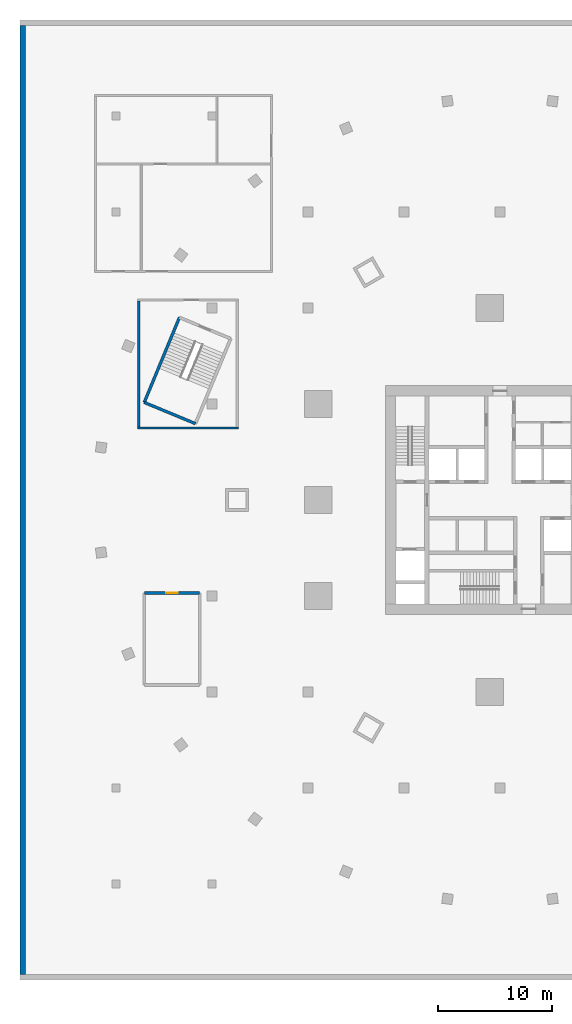
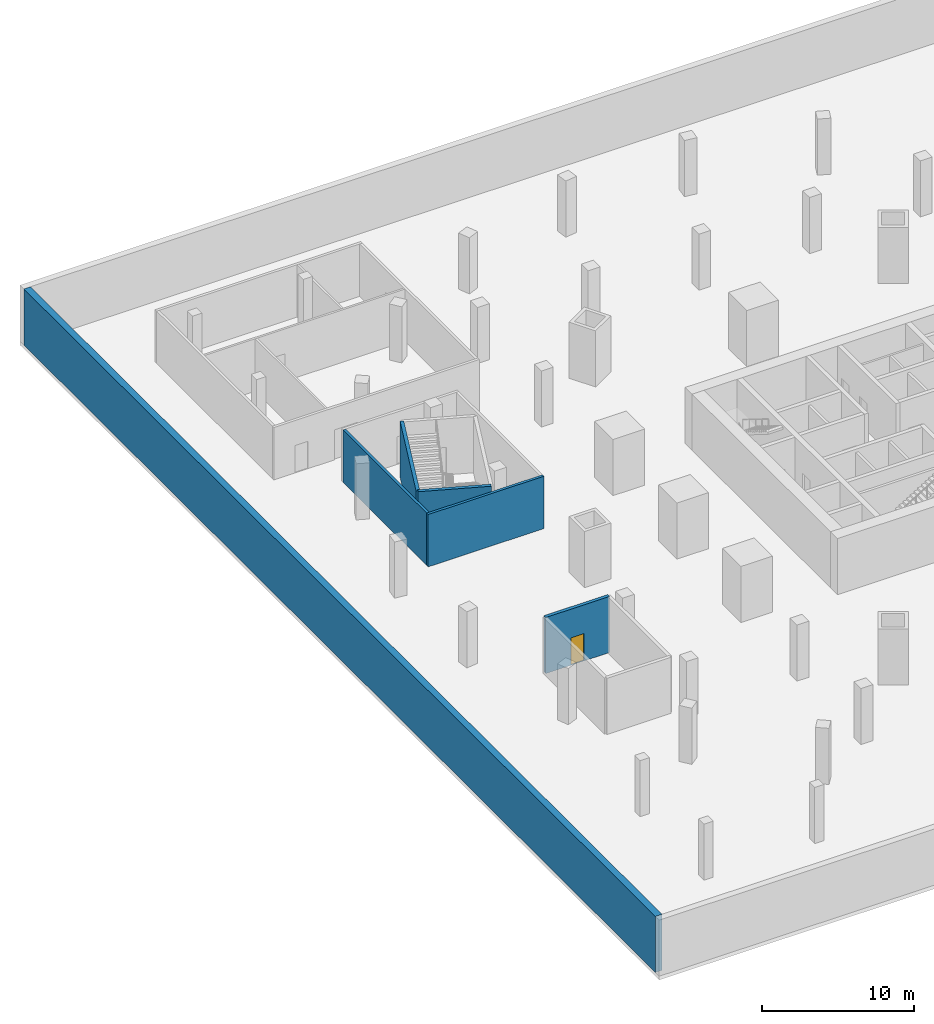
# One storey, part 2 of 9: 6 walls, 1 door, 1 opening.
"""IFC4 building model written with IfcOpenShell, lengths in metres."""

from ifc_helpers import new_model, si_unit, direction, frame, frame_2d, origin, place, context, subcontext, project, spatial, rectangle, extrude, material, layer, layer_set, type_object, element, fill, save


model = new_model("IFC4")

# Units and contexts
model_context = context("Model", 3, precision=1e-05, world=origin(), true_north=direction((0.0, 1.0)))
body_context = subcontext(model_context, "Body", "Model", "MODEL_VIEW")
ifc_project = project(units=[si_unit("LENGTHUNIT", "METRE"), si_unit("AREAUNIT", "SQUARE_METRE"), si_unit("VOLUMEUNIT", "CUBIC_METRE"), si_unit("PLANEANGLEUNIT", "RADIAN"), si_unit("MASSUNIT", "GRAM", prefix="KILO")], contexts=[model_context])

# Site, building, storey
site_placement = place(None, origin())
site = spatial("IfcSite", under=ifc_project, at=site_placement, CompositionType="ELEMENT")
building_placement = place(site_placement, origin())
building = spatial("IfcBuilding", under=site, at=building_placement, Name="Golbaran Civic Tower", CompositionType="ELEMENT")
storey_placement = place(building_placement, frame((0.0, 0.0, -9.0)))
storey = spatial("IfcBuildingStorey", under=building, at=storey_placement, Name="B2", CompositionType="ELEMENT", Elevation=-9.0)

# Walls
ifc_material_1 = material(Name="Concrete C50/60", Category="concrete")
ifc_layer_1 = layer(ifc_material_1, 0.5, Name="Concrete C50/60")
ifc_layer_set_1 = layer_set([ifc_layer_1], Name="Concrete C50/60")
wall_type_1 = type_object("IfcWallType", Name="BASEMENT RETAINING WALL CONCRETE 500", PredefinedType="SOLIDWALL", material=ifc_layer_set_1)
wall_1_placement = place(storey_placement, frame((-41.75, 41.5, 0.0), z_axis=(0.0, 0.0, 1.0), x_axis=(0.0, -1.0, 0.0)))
element("IfcWall", 1, at=wall_1_placement, inside=storey, type_object=wall_type_1, Name="Basement retaining wall W B2", PredefinedType="SOLIDWALL", context=body_context, shape_type="SweptSolid", body=[
    extrude(rectangle(XDim=83.0, YDim=0.5, at=frame_2d((41.5, 0.0))), origin(), (0.0, 0.0, 1.0), 4.5),
])
ifc_layer_2 = layer(ifc_material_1, 0.25, Name="Concrete C50/60")
ifc_layer_set_2 = layer_set([ifc_layer_2], Name="Concrete C50/60")
wall_type_2 = type_object("IfcWallType", Name="STAIR ENCLOSURE WALL CONCRETE 250", PredefinedType="SOLIDWALL", material=ifc_layer_set_2)
wall_2_placement = place(storey_placement, frame((-26.646728515625, 6.680908203125, 0.0), z_axis=(0.0, 0.0, 1.0), x_axis=(-0.923880627248, 0.382680789426, 0.0)))
element("IfcWall", 2, at=wall_2_placement, inside=storey, type_object=wall_type_2, Name="Stair P2 enclosure C B2", PredefinedType="SOLIDWALL", context=body_context, shape_type="SweptSolid", body=[
    extrude(rectangle(XDim=4.849853515625, YDim=0.25, at=frame_2d((2.4248046875, 0.0))), origin(), (0.0, 0.0, 1.0), 4.5),
])
wall_3_placement = place(storey_placement, frame((-31.12744140625, 8.536865234375, 0.0), z_axis=(0.0, 0.0, 1.0), x_axis=(0.382678572144, 0.923881545666, 0.0)))
element("IfcWall", 3, at=wall_3_placement, inside=storey, type_object=wall_type_2, Name="Stair P2 enclosure D B2", PredefinedType="SOLIDWALL", context=body_context, shape_type="SweptSolid", body=[
    extrude(rectangle(XDim=8.050048828125, YDim=0.25, at=frame_2d((4.02490234375, 0.0))), origin(), (0.0, 0.0, 1.0), 4.5),
])

# Wall, opening, door
wall_4_placement = place(storey_placement, frame((-31.125, -8.125, 0.0), z_axis=(0.0, 0.0, 1.0), x_axis=(1.0, 0.0, 0.0)))
wall_4 = element("IfcWall", 4, at=wall_4_placement, inside=storey, type_object=wall_type_2, Name="P3 enclosure A B2", PredefinedType="SOLIDWALL", context=body_context, shape_type="SweptSolid", body=[
    extrude(rectangle(XDim=4.85009765625, YDim=0.25, at=frame_2d((2.425048828125, 0.0))), origin(), (0.0, 0.0, 1.0), 4.5),
])
opening_placement = place(wall_4_placement, frame((1.925048828125, 0.0, 0.0)))
opening = element("IfcOpeningElement", 5, at=opening_placement, cuts=wall_4, Name="Opening B2.07", PredefinedType="OPENING", context=body_context, shape_type="SweptSolid", body=[
    extrude(rectangle(XDim=1.0, YDim=2.199951171875, at=frame_2d((0.5, 1.10009765625))), frame((0.0, 0.135009765625, 0.0), z_axis=(0.0, -1.0, 0.0), x_axis=(1.0, 0.0, 0.0)), (0.0, 0.0, 1.0), 0.27001953125),
])
ifc_material_2 = material(Name="Steel door set, fire-rated", Category="steel")
door_type = type_object("IfcDoorType", Name="BASEMENT ROOM DOOR 1000x2200", OperationType="SINGLE_SWING_LEFT", PredefinedType="DOOR", material=ifc_material_2)
door_placement = place(opening_placement, origin())
door = element("IfcDoor", 6, at=door_placement, inside=storey, type_object=door_type, Name="Car Park Store door B2", OperationType="SINGLE_SWING_LEFT", OverallHeight=2.199951171875, OverallWidth=1.0, PredefinedType="DOOR", context=body_context, shape_type="SweptSolid", body=[
    extrude(rectangle(XDim=1.0, YDim=2.199951171875, at=frame_2d((0.5, 1.10009765625))), frame((0.0, 0.02490234375, 0.0), z_axis=(0.0, -1.0, 0.0), x_axis=(1.0, 0.0, 0.0)), (0.0, 0.0, 1.0), 0.050048828125),
])
fill(opening, door)

# Walls
ifc_material_3 = material(Name="Reinforced blockwork, fire-rated", Category="masonry")
ifc_layer_3 = layer(ifc_material_3, 0.199951171875, Name="Reinforced blockwork, fire-rated")
ifc_layer_set_3 = layer_set([ifc_layer_3], Name="Reinforced blockwork, fire-rated")
wall_type_3 = type_object("IfcWallType", Name="STAIR LOBBY WALL 200", PredefinedType="PARTITIONING", material=ifc_layer_set_3)
wall_5_placement = place(storey_placement, frame((-31.699951171875, 6.300048828125, 0.0), z_axis=(0.0, 0.0, 1.0), x_axis=(1.0, 0.0, 0.0)))
element("IfcWall", 7, at=wall_5_placement, inside=storey, type_object=wall_type_3, Name="Stair P2 lobby wall B2", PredefinedType="PARTITIONING", context=body_context, shape_type="SweptSolid", body=[
    extrude(rectangle(XDim=8.800048828125, YDim=0.199951171875, at=frame_2d((4.39990234375, 0.0))), origin(), (0.0, 0.0, 1.0), 4.199951171875),
])
wall_6_placement = place(storey_placement, frame((-31.60009765625, 17.39990234375, 0.0), z_axis=(0.0, 0.0, 1.0), x_axis=(0.0, -1.0, 0.0)))
element("IfcWall", 8, at=wall_6_placement, inside=storey, type_object=wall_type_3, Name="Stair P2 lobby wall B2", PredefinedType="PARTITIONING", context=body_context, shape_type="SweptSolid", body=[
    extrude(rectangle(XDim=11.0, YDim=0.199951171875, at=frame_2d((5.5, 0.0))), origin(), (0.0, 0.0, 1.0), 4.199951171875),
])

save(model, "model.ifc")
